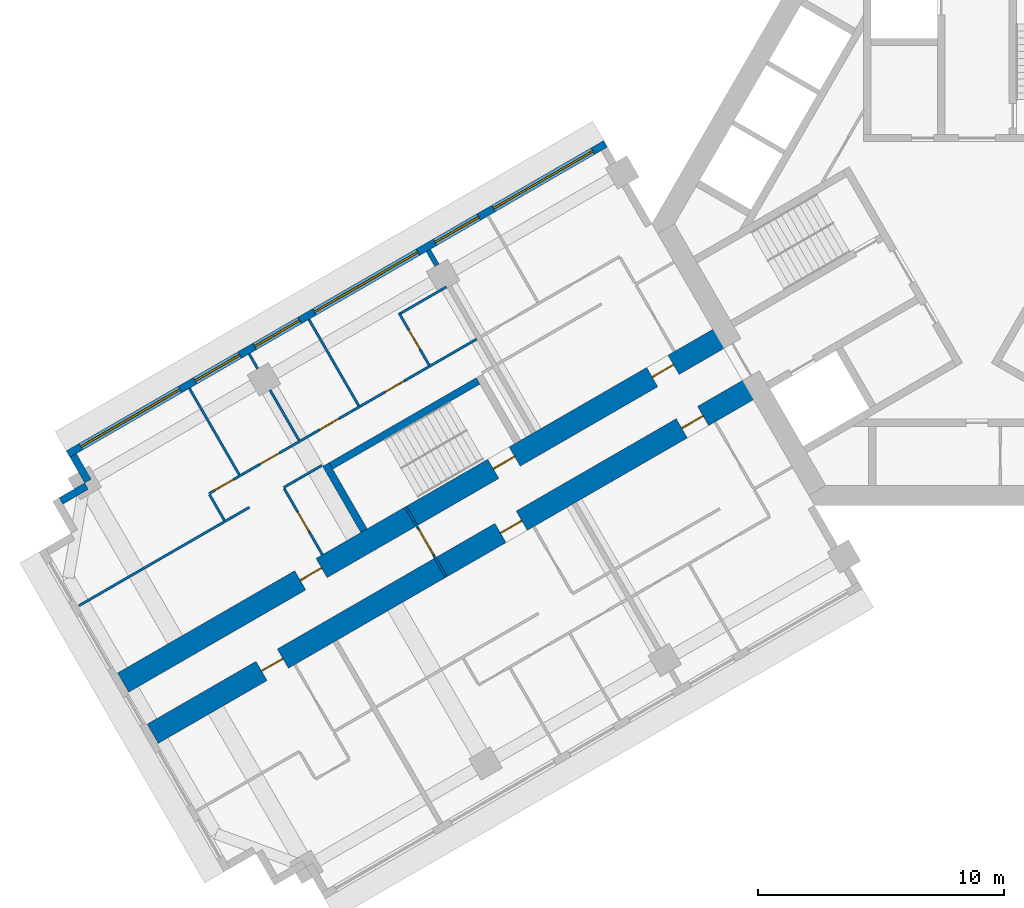
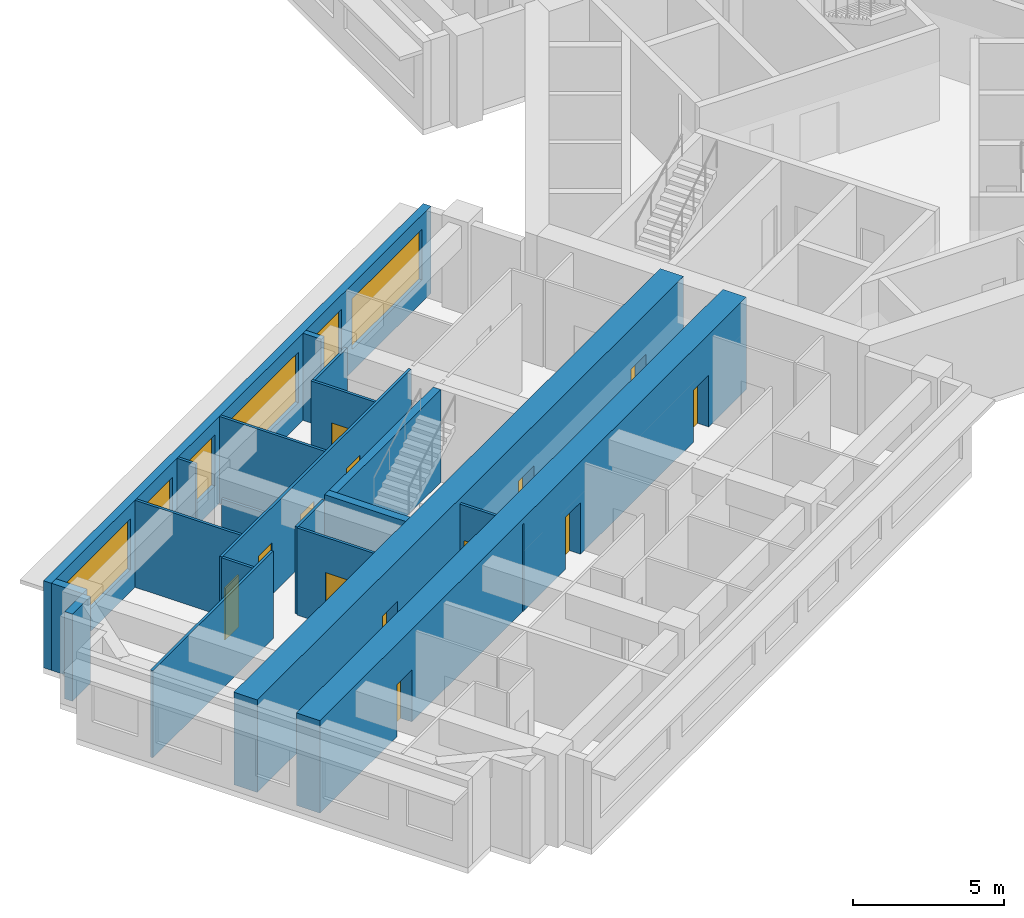
# One storey, part 3 of 14: 20 walls, 13 doors, 6 windows, 19 openings.
"""IFC4 building model written with IfcOpenShell, lengths in metres."""

from ifc_helpers import new_model, si_unit, direction, frame, frame_2d, origin, place, context, subcontext, project, spatial, rectangle, extrude, material, layer, layer_set, type_object, element, fill, save


model = new_model("IFC4")

# Units and contexts
model_context = context("Model", 3, precision=1e-05, world=origin(), true_north=direction((0.0, 1.0)))
body_context = subcontext(model_context, "Body", "Model", "MODEL_VIEW")
ifc_project = project(units=[si_unit("LENGTHUNIT", "METRE"), si_unit("AREAUNIT", "SQUARE_METRE"), si_unit("VOLUMEUNIT", "CUBIC_METRE"), si_unit("PLANEANGLEUNIT", "RADIAN"), si_unit("MASSUNIT", "GRAM", prefix="KILO")], contexts=[model_context])

# Site, building, storey
site_placement = place(None, origin())
site = spatial("IfcSite", under=ifc_project, at=site_placement, CompositionType="ELEMENT")
building_placement = place(site_placement, origin())
building = spatial("IfcBuilding", under=site, at=building_placement, Name="Impinga Residences", CompositionType="ELEMENT")
storey_placement = place(building_placement, frame((0.0, 0.0, 147.25)))
storey = spatial("IfcBuildingStorey", under=building, at=storey_placement, Name="L36", CompositionType="ELEMENT", Elevation=147.25)

# Wall, openings, doors
ifc_material_1 = material(Name="Concrete C60/75", Category="concrete")
ifc_layer_1 = layer(ifc_material_1, 0.89990234375)
ifc_layer_set_1 = layer_set([ifc_layer_1], Name="Concrete C60/75")
wall_type_1 = type_object("IfcWallType", Name="BW2 corridor buttress wall, L24 to L44 900", PredefinedType="SHEAR", material=ifc_layer_set_1)
wall_1_placement = place(storey_placement, frame((-8.95361328125, -6.554931640625, 0.0), z_axis=(0.0, 0.0, 1.0), x_axis=(-0.866023392092, -0.500003484338, 0.0)))
wall_1 = element("IfcWall", 1, at=wall_1_placement, inside=storey, type_object=wall_type_1, Name="Corridor wall BW2 WC L36", PredefinedType="SHEAR", context=body_context, shape_type="SweptSolid", body=[
    extrude(rectangle(XDim=28.300048828125, YDim=0.89990234375, at=frame_2d((14.14990234375, 0.0))), origin(), (0.0, 0.0, 1.0), 3.75),
])
opening_1_placement = place(wall_1_placement, frame((2.5, 0.0, 0.0)))
opening_1 = element("IfcOpeningElement", 2, at=opening_1_placement, cuts=wall_1, Name="Opening D1", PredefinedType="OPENING", context=body_context, shape_type="SweptSolid", body=[
    extrude(rectangle(XDim=1.0, YDim=2.10009765625, at=frame_2d((0.5, 1.050048828125))), frame((0.0, 0.4599609375, 0.0), z_axis=(0.0, -1.0, 0.0), x_axis=(1.0, 0.0, 0.0)), (0.0, 0.0, 1.0), 0.919921875),
])
opening_2_placement = place(wall_1_placement, frame((11.0, 0.0, 0.0)))
opening_2 = element("IfcOpeningElement", 3, at=opening_2_placement, cuts=wall_1, Name="Opening D1", PredefinedType="OPENING", context=body_context, shape_type="SweptSolid", body=[
    extrude(rectangle(XDim=1.0, YDim=2.10009765625, at=frame_2d((0.5, 1.050048828125))), frame((0.0, 0.4599609375, 0.0), z_axis=(0.0, -1.0, 0.0), x_axis=(1.0, 0.0, 0.0)), (0.0, 0.0, 1.0), 0.919921875),
])
opening_3_placement = place(wall_1_placement, frame((22.199951171875, 0.0, 0.0)))
opening_3 = element("IfcOpeningElement", 4, at=opening_3_placement, cuts=wall_1, Name="Opening D1", PredefinedType="OPENING", context=body_context, shape_type="SweptSolid", body=[
    extrude(rectangle(XDim=1.0, YDim=2.10009765625, at=frame_2d((0.5, 1.050048828125))), frame((0.0, 0.4599609375, 0.0), z_axis=(0.0, -1.0, 0.0), x_axis=(1.0, 0.0, 0.0)), (0.0, 0.0, 1.0), 0.919921875),
])
ifc_material_2 = material(Name="Timber door set", Category="wood")
door_type_1 = type_object("IfcDoorType", Name="D1 apartment entrance door 1000x2100", OperationType="SINGLE_SWING_LEFT", PredefinedType="DOOR", material=ifc_material_2)
door_1_placement = place(opening_1_placement, origin())
door_1 = element("IfcDoor", 5, at=door_1_placement, inside=storey, type_object=door_type_1, Name="Apartment L36-WA1 entrance", OperationType="SINGLE_SWING_LEFT", OverallHeight=2.10009765625, OverallWidth=1.0, PredefinedType="DOOR", context=body_context, shape_type="SweptSolid", body=[
    extrude(rectangle(XDim=1.0, YDim=2.10009765625, at=frame_2d((0.5, 1.050048828125))), frame((0.0, 0.02490234375, 0.0), z_axis=(0.0, -1.0, 0.0), x_axis=(1.0, 0.0, 0.0)), (0.0, 0.0, 1.0), 0.050048828125),
])
fill(opening_1, door_1)
door_2_placement = place(opening_2_placement, origin())
door_2 = element("IfcDoor", 6, at=door_2_placement, inside=storey, type_object=door_type_1, Name="Apartment L36-WA2 entrance", OperationType="SINGLE_SWING_LEFT", OverallHeight=2.10009765625, OverallWidth=1.0, PredefinedType="DOOR", context=body_context, shape_type="SweptSolid", body=[
    extrude(rectangle(XDim=1.0, YDim=2.10009765625, at=frame_2d((0.5, 1.050048828125))), frame((0.0, 0.02490234375, 0.0), z_axis=(0.0, -1.0, 0.0), x_axis=(1.0, 0.0, 0.0)), (0.0, 0.0, 1.0), 0.050048828125),
])
fill(opening_2, door_2)
door_3_placement = place(opening_3_placement, origin())
door_3 = element("IfcDoor", 7, at=door_3_placement, inside=storey, type_object=door_type_1, Name="Apartment L36-WA3 entrance", OperationType="SINGLE_SWING_RIGHT", OverallHeight=2.10009765625, OverallWidth=1.0, PredefinedType="DOOR", context=body_context, shape_type="SweptSolid", body=[
    extrude(rectangle(XDim=1.0, YDim=2.10009765625, at=frame_2d((0.5, 1.050048828125))), frame((0.0, 0.02490234375, 0.0), z_axis=(0.0, -1.0, 0.0), x_axis=(1.0, 0.0, 0.0)), (0.0, 0.0, 1.0), 0.050048828125),
])
fill(opening_3, door_3)

wall_2_placement = place(storey_placement, frame((-10.153564453125, -4.4765625, 0.0), z_axis=(0.0, 0.0, 1.0), x_axis=(-0.866027127636, -0.49999701419, 0.0)))
wall_2 = element("IfcWall", 8, at=wall_2_placement, inside=storey, type_object=wall_type_1, Name="Corridor wall BW2 WD L36", PredefinedType="SHEAR", context=body_context, shape_type="SweptSolid", body=[
    extrude(rectangle(XDim=28.300048828125, YDim=0.89990234375, at=frame_2d((14.14990234375, 0.0))), origin(), (0.0, 0.0, 1.0), 3.75),
])
opening_4_placement = place(wall_2_placement, frame((9.949951171875, 0.0, 0.0)))
opening_4 = element("IfcOpeningElement", 9, at=opening_4_placement, cuts=wall_2, Name="Opening D5", PredefinedType="OPENING", context=body_context, shape_type="SweptSolid", body=[
    extrude(rectangle(XDim=1.0, YDim=2.10009765625, at=frame_2d((0.5, 1.050048828125))), frame((0.0, 0.4599609375, 0.0), z_axis=(0.0, -1.0, 0.0), x_axis=(1.0, 0.0, 0.0)), (0.0, 0.0, 1.0), 0.919921875),
])
opening_5_placement = place(wall_2_placement, frame((2.5, 0.0, 0.0)))
opening_5 = element("IfcOpeningElement", 10, at=opening_5_placement, cuts=wall_2, Name="Opening D1", PredefinedType="OPENING", context=body_context, shape_type="SweptSolid", body=[
    extrude(rectangle(XDim=1.0, YDim=2.10009765625, at=frame_2d((0.5, 1.050048828125))), frame((0.0, 0.4599609375, 0.0), z_axis=(0.0, -1.0, 0.0), x_axis=(1.0, 0.0, 0.0)), (0.0, 0.0, 1.0), 0.919921875),
])
opening_6_placement = place(wall_2_placement, frame((19.0, 0.0, 0.0)))
opening_6 = element("IfcOpeningElement", 11, at=opening_6_placement, cuts=wall_2, Name="Opening D1", PredefinedType="OPENING", context=body_context, shape_type="SweptSolid", body=[
    extrude(rectangle(XDim=1.0, YDim=2.10009765625, at=frame_2d((0.5, 1.050048828125))), frame((0.0, 0.4599609375, 0.0), z_axis=(0.0, -1.0, 0.0), x_axis=(1.0, 0.0, 0.0)), (0.0, 0.0, 1.0), 0.919921875),
])
door_4_placement = place(opening_5_placement, origin())
door_4 = element("IfcDoor", 12, at=door_4_placement, inside=storey, type_object=door_type_1, Name="Apartment L36-WF1 entrance", OperationType="SINGLE_SWING_LEFT", OverallHeight=2.10009765625, OverallWidth=1.0, PredefinedType="DOOR", context=body_context, shape_type="SweptSolid", body=[
    extrude(rectangle(XDim=1.0, YDim=2.10009765625, at=frame_2d((0.5, 1.050048828125))), frame((0.0, 0.02490234375, 0.0), z_axis=(0.0, -1.0, 0.0), x_axis=(1.0, 0.0, 0.0)), (0.0, 0.0, 1.0), 0.050048828125),
])
fill(opening_5, door_4)
door_5_placement = place(opening_6_placement, origin())
door_5 = element("IfcDoor", 13, at=door_5_placement, inside=storey, type_object=door_type_1, Name="Apartment L36-WF2 entrance", OperationType="SINGLE_SWING_RIGHT", OverallHeight=2.10009765625, OverallWidth=1.0, PredefinedType="DOOR", context=body_context, shape_type="SweptSolid", body=[
    extrude(rectangle(XDim=1.0, YDim=2.10009765625, at=frame_2d((0.5, 1.050048828125))), frame((0.0, 0.02490234375, 0.0), z_axis=(0.0, -1.0, 0.0), x_axis=(1.0, 0.0, 0.0)), (0.0, 0.0, 1.0), 0.050048828125),
])
fill(opening_6, door_5)
door_type_2 = type_object("IfcDoorType", Name="D5 stair door 1000x2100", OperationType="SINGLE_SWING_LEFT", PredefinedType="DOOR", material=ifc_material_2)
door_6_placement = place(opening_4_placement, origin())
door_6 = element("IfcDoor", 14, at=door_6_placement, inside=storey, type_object=door_type_2, Name="Wing stair door W", OperationType="SINGLE_SWING_LEFT", OverallHeight=2.10009765625, OverallWidth=1.0, PredefinedType="DOOR", context=body_context, shape_type="SweptSolid", body=[
    extrude(rectangle(XDim=1.0, YDim=2.10009765625, at=frame_2d((0.5, 1.050048828125))), frame((0.0, 0.02490234375, 0.0), z_axis=(0.0, -1.0, 0.0), x_axis=(1.0, 0.0, 0.0)), (0.0, 0.0, 1.0), 0.050048828125),
])
fill(opening_4, door_6)

# Wall, opening, door
ifc_material_3 = material(Name="Concrete blockwork", Category="masonry")
ifc_layer_2 = layer(ifc_material_3, 0.10009765625)
ifc_layer_set_2 = layer_set([ifc_layer_2], Name="CP1 core room partition, blockwork 100")
wall_type_2 = type_object("IfcWallType", Name="CP1 core room partition, blockwork 100", PredefinedType="PARTITIONING", material=ifc_layer_set_2)
wall_3_placement = place(storey_placement, frame((-21.545654296875, -14.3447265625, 0.0), z_axis=(0.0, 0.0, 1.0), x_axis=(-0.50002983664, 0.866008176907, 0.0)))
wall_3 = element("IfcWall", 15, at=wall_3_placement, inside=storey, type_object=wall_type_2, Name="Core room partition, blockwork L36:W:PLB", PredefinedType="PARTITIONING", context=body_context, shape_type="SweptSolid", body=[
    extrude(rectangle(XDim=3.300048828125, YDim=0.10009765625, at=frame_2d((1.64990234375, 0.0))), origin(), (0.0, 0.0, 1.0), 3.530029296875),
])
opening_7_placement = place(wall_3_placement, frame((1.050048828125, 0.0, 0.0)))
opening_7 = element("IfcOpeningElement", 16, at=opening_7_placement, cuts=wall_3, Name="Opening D3", PredefinedType="OPENING", context=body_context, shape_type="SweptSolid", body=[
    extrude(rectangle(XDim=1.199951171875, YDim=2.10009765625, at=frame_2d((0.60009765625, 1.050048828125))), frame((0.0, 0.06005859375, 0.0), z_axis=(0.0, -1.0, 0.0), x_axis=(1.0, 0.0, 0.0)), (0.0, 0.0, 1.0), 0.1201171875),
])
door_type_3 = type_object("IfcDoorType", Name="D3 room door, leaf and a half 1200x2100", OperationType="DOUBLE_SWING_LEFT", PredefinedType="DOOR", material=ifc_material_2)
door_7_placement = place(opening_7_placement, origin())
door_7 = element("IfcDoor", 17, at=door_7_placement, inside=storey, type_object=door_type_3, Name="Private lobby door W", OperationType="DOUBLE_SWING_LEFT", OverallHeight=2.10009765625, OverallWidth=1.199951171875, PredefinedType="DOOR", context=body_context, shape_type="SweptSolid", body=[
    extrude(rectangle(XDim=1.199951171875, YDim=2.10009765625, at=frame_2d((0.60009765625, 1.050048828125))), frame((0.0, 0.02490234375, 0.0), z_axis=(0.0, -1.0, 0.0), x_axis=(1.0, 0.0, 0.0)), (0.0, 0.0, 1.0), 0.050048828125),
])
fill(opening_7, door_7)

# Walls
ifc_material_4 = material(Name="Terracotta rainscreen on blockwork", Category="masonry")
ifc_layer_3 = layer(ifc_material_4, 0.300048828125)
ifc_layer_set_3 = layer_set([ifc_layer_3], Name="EW1 external wall, terracotta rainscreen on blockwork 300")
wall_type_3 = type_object("IfcWallType", Name="EW1 external wall, terracotta rainscreen on blockwork 300", PredefinedType="SOLIDWALL", material=ifc_layer_set_3)
wall_4_placement = place(storey_placement, frame((-37.18798828125, -11.25146484375, 0.0), z_axis=(0.0, 0.0, 1.0), x_axis=(0.866059708757, 0.499940577336, 0.0)))
element("IfcWall", 18, at=wall_4_placement, inside=storey, type_object=wall_type_3, Name="External wall EW1 L36", PredefinedType="SOLIDWALL", context=body_context, shape_type="SweptSolid", body=[
    extrude(rectangle(XDim=1.195068359375, YDim=0.300048828125, at=frame_2d((0.59765625, 0.0))), origin(), (0.0, 0.0, 1.0), 3.530029296875),
])
wall_5_placement = place(storey_placement, frame((-36.093994140625, -10.446533203125, 0.0), z_axis=(0.0, 0.0, 1.0), x_axis=(-0.499880961361, 0.866094119867, 0.0)))
element("IfcWall", 19, at=wall_5_placement, inside=storey, type_object=wall_type_3, Name="External wall EW1 L36", PredefinedType="SOLIDWALL", context=body_context, shape_type="SweptSolid", body=[
    extrude(rectangle(XDim=1.199951171875, YDim=0.300048828125, at=frame_2d((0.60009765625, 0.0))), origin(), (0.0, 0.0, 1.0), 3.530029296875),
])

# Wall, openings, windows
wall_6_placement = place(storey_placement, frame((-36.89892578125, -9.352294921875, 0.0), z_axis=(0.0, 0.0, 1.0), x_axis=(0.86602925447, 0.499993330357, 0.0)))
wall_6 = element("IfcWall", 20, at=wall_6_placement, inside=storey, type_object=wall_type_3, Name="External wall EW1 L36", PredefinedType="SOLIDWALL", context=body_context, shape_type="SweptSolid", body=[
    extrude(rectangle(XDim=25.199951171875, YDim=0.300048828125, at=frame_2d((12.60009765625, 0.0))), origin(), (0.0, 0.0, 1.0), 3.530029296875),
])
opening_8_placement = place(wall_6_placement, frame((0.60009765625, 0.0, 0.89990234375)))
opening_8 = element("IfcOpeningElement", 21, at=opening_8_placement, cuts=wall_6, Name="Opening W10", PredefinedType="OPENING", context=body_context, shape_type="SweptSolid", body=[
    extrude(rectangle(XDim=4.64990234375, YDim=2.050048828125, at=frame_2d((2.324951171875, 1.02490234375))), frame((0.0, 0.159912109375, 0.0), z_axis=(0.0, -1.0, 0.0), x_axis=(1.0, 0.0, 0.0)), (0.0, 0.0, 1.0), 0.320068359375),
])
opening_9_placement = place(wall_6_placement, frame((5.949951171875, 0.0, 0.89990234375)))
opening_9 = element("IfcOpeningElement", 22, at=opening_9_placement, cuts=wall_6, Name="Opening W9", PredefinedType="OPENING", context=body_context, shape_type="SweptSolid", body=[
    extrude(rectangle(XDim=2.10009765625, YDim=2.050048828125, at=frame_2d((1.050048828125, 1.02490234375))), frame((0.0, 0.159912109375, 0.0), z_axis=(0.0, -1.0, 0.0), x_axis=(1.0, 0.0, 0.0)), (0.0, 0.0, 1.0), 0.320068359375),
])
opening_10_placement = place(wall_6_placement, frame((8.75, 0.0, 0.89990234375)))
opening_10 = element("IfcOpeningElement", 23, at=opening_10_placement, cuts=wall_6, Name="Opening W9", PredefinedType="OPENING", context=body_context, shape_type="SweptSolid", body=[
    extrude(rectangle(XDim=2.10009765625, YDim=2.050048828125, at=frame_2d((1.050048828125, 1.02490234375))), frame((0.0, 0.159912109375, 0.0), z_axis=(0.0, -1.0, 0.0), x_axis=(1.0, 0.0, 0.0)), (0.0, 0.0, 1.0), 0.320068359375),
])
opening_11_placement = place(wall_6_placement, frame((11.550048828125, 0.0, 0.89990234375)))
opening_11 = element("IfcOpeningElement", 24, at=opening_11_placement, cuts=wall_6, Name="Opening W6", PredefinedType="OPENING", context=body_context, shape_type="SweptSolid", body=[
    extrude(rectangle(XDim=4.85009765625, YDim=2.050048828125, at=frame_2d((2.425048828125, 1.02490234375))), frame((0.0, 0.159912109375, 0.0), z_axis=(0.0, -1.0, 0.0), x_axis=(1.0, 0.0, 0.0)), (0.0, 0.0, 1.0), 0.320068359375),
])
opening_12_placement = place(wall_6_placement, frame((17.199951171875, 0.0, 0.89990234375)))
opening_12 = element("IfcOpeningElement", 25, at=opening_12_placement, cuts=wall_6, Name="Opening W14", PredefinedType="OPENING", context=body_context, shape_type="SweptSolid", body=[
    extrude(rectangle(XDim=2.050048828125, YDim=2.050048828125, at=frame_2d((1.02490234375, 1.02490234375))), frame((0.0, 0.159912109375, 0.0), z_axis=(0.0, -1.0, 0.0), x_axis=(1.0, 0.0, 0.0)), (0.0, 0.0, 1.0), 0.320068359375),
])
opening_13_placement = place(wall_6_placement, frame((19.949951171875, 0.0, 0.89990234375)))
opening_13 = element("IfcOpeningElement", 26, at=opening_13_placement, cuts=wall_6, Name="Opening W10", PredefinedType="OPENING", context=body_context, shape_type="SweptSolid", body=[
    extrude(rectangle(XDim=4.64990234375, YDim=2.050048828125, at=frame_2d((2.324951171875, 1.02490234375))), frame((0.0, 0.159912109375, 0.0), z_axis=(0.0, -1.0, 0.0), x_axis=(1.0, 0.0, 0.0)), (0.0, 0.0, 1.0), 0.320068359375),
])
ifc_material_5 = material(Name="Aluminium window, clear double glazing", Category="aluminium")
window_type_1 = type_object("IfcWindowType", Name="W10 ribbon window 4650x2050", PartitioningType="SINGLE_PANEL", PredefinedType="WINDOW", material=ifc_material_5)
window_1_placement = place(opening_8_placement, origin())
window_1 = element("IfcWindow", 27, at=window_1_placement, inside=storey, type_object=window_type_1, Name="Window L36", OverallHeight=2.050048828125, OverallWidth=4.64990234375, PartitioningType="SINGLE_PANEL", PredefinedType="WINDOW", context=body_context, shape_type="SweptSolid", body=[
    extrude(rectangle(XDim=4.64990234375, YDim=2.050048828125, at=frame_2d((2.324951171875, 1.02490234375))), frame((0.0, 0.030029296875, 0.0), z_axis=(0.0, -1.0, 0.0), x_axis=(1.0, 0.0, 0.0)), (0.0, 0.0, 1.0), 0.06005859375),
])
fill(opening_8, window_1)
window_2_placement = place(opening_13_placement, origin())
window_2 = element("IfcWindow", 28, at=window_2_placement, inside=storey, type_object=window_type_1, Name="Window L36", OverallHeight=2.050048828125, OverallWidth=4.64990234375, PartitioningType="SINGLE_PANEL", PredefinedType="WINDOW", context=body_context, shape_type="SweptSolid", body=[
    extrude(rectangle(XDim=4.64990234375, YDim=2.050048828125, at=frame_2d((2.324951171875, 1.02490234375))), frame((0.0, 0.030029296875, 0.0), z_axis=(0.0, -1.0, 0.0), x_axis=(1.0, 0.0, 0.0)), (0.0, 0.0, 1.0), 0.06005859375),
])
fill(opening_13, window_2)
window_type_2 = type_object("IfcWindowType", Name="W14 ribbon window 2050x2050", PartitioningType="SINGLE_PANEL", PredefinedType="WINDOW", material=ifc_material_5)
window_3_placement = place(opening_12_placement, origin())
window_3 = element("IfcWindow", 29, at=window_3_placement, inside=storey, type_object=window_type_2, Name="Window L36", OverallHeight=2.050048828125, OverallWidth=2.050048828125, PartitioningType="SINGLE_PANEL", PredefinedType="WINDOW", context=body_context, shape_type="SweptSolid", body=[
    extrude(rectangle(XDim=2.050048828125, YDim=2.050048828125, at=frame_2d((1.02490234375, 1.02490234375))), frame((0.0, 0.030029296875, 0.0), z_axis=(0.0, -1.0, 0.0), x_axis=(1.0, 0.0, 0.0)), (0.0, 0.0, 1.0), 0.06005859375),
])
fill(opening_12, window_3)
window_type_3 = type_object("IfcWindowType", Name="W6 ribbon window 4850x2050", PartitioningType="SINGLE_PANEL", PredefinedType="WINDOW", material=ifc_material_5)
window_4_placement = place(opening_11_placement, origin())
window_4 = element("IfcWindow", 30, at=window_4_placement, inside=storey, type_object=window_type_3, Name="Window L36", OverallHeight=2.050048828125, OverallWidth=4.85009765625, PartitioningType="SINGLE_PANEL", PredefinedType="WINDOW", context=body_context, shape_type="SweptSolid", body=[
    extrude(rectangle(XDim=4.85009765625, YDim=2.050048828125, at=frame_2d((2.425048828125, 1.02490234375))), frame((0.0, 0.030029296875, 0.0), z_axis=(0.0, -1.0, 0.0), x_axis=(1.0, 0.0, 0.0)), (0.0, 0.0, 1.0), 0.06005859375),
])
fill(opening_11, window_4)
window_type_4 = type_object("IfcWindowType", Name="W9 ribbon window 2100x2050", PartitioningType="SINGLE_PANEL", PredefinedType="WINDOW", material=ifc_material_5)
window_5_placement = place(opening_9_placement, origin())
window_5 = element("IfcWindow", 31, at=window_5_placement, inside=storey, type_object=window_type_4, Name="Window L36", OverallHeight=2.050048828125, OverallWidth=2.10009765625, PartitioningType="SINGLE_PANEL", PredefinedType="WINDOW", context=body_context, shape_type="SweptSolid", body=[
    extrude(rectangle(XDim=2.10009765625, YDim=2.050048828125, at=frame_2d((1.050048828125, 1.02490234375))), frame((0.0, 0.030029296875, 0.0), z_axis=(0.0, -1.0, 0.0), x_axis=(1.0, 0.0, 0.0)), (0.0, 0.0, 1.0), 0.06005859375),
])
fill(opening_9, window_5)
window_6_placement = place(opening_10_placement, origin())
window_6 = element("IfcWindow", 32, at=window_6_placement, inside=storey, type_object=window_type_4, Name="Window L36", OverallHeight=2.050048828125, OverallWidth=2.10009765625, PartitioningType="SINGLE_PANEL", PredefinedType="WINDOW", context=body_context, shape_type="SweptSolid", body=[
    extrude(rectangle(XDim=2.10009765625, YDim=2.050048828125, at=frame_2d((1.050048828125, 1.02490234375))), frame((0.0, 0.030029296875, 0.0), z_axis=(0.0, -1.0, 0.0), x_axis=(1.0, 0.0, 0.0)), (0.0, 0.0, 1.0), 0.06005859375),
])
fill(opening_10, window_6)

# Walls
ifc_material_6 = material(Name="Gypsum board on steel studs", Category="steel")
ifc_layer_4 = layer(ifc_material_6, 0.10009765625)
ifc_layer_set_4 = layer_set([ifc_layer_4], Name="Gypsum board on steel studs")
wall_type_4 = type_object("IfcWallType", Name="IP1 partition 100", PredefinedType="PARTITIONING", material=ifc_layer_set_4)
wall_7_placement = place(storey_placement, frame((-26.58935546875, -9.808837890625, 0.0), z_axis=(0.0, 0.0, 1.0), x_axis=(-0.866047807691, -0.499961193289, 0.0)))
element("IfcWall", 33, at=wall_7_placement, inside=storey, type_object=wall_type_4, Name="Partition L36-WF2:DIV1", PredefinedType="PARTITIONING", context=body_context, shape_type="SweptSolid", body=[
    extrude(rectangle(XDim=1.800048828125, YDim=0.10009765625, at=frame_2d((0.89990234375, 0.0))), origin(), (0.0, 0.0, 1.0), 3.530029296875),
])
wall_8_placement = place(storey_placement, frame((-29.533935546875, -11.5087890625, 0.0), z_axis=(0.0, 0.0, 1.0), x_axis=(-0.866026010844, -0.49999894854, 0.0)))
element("IfcWall", 34, at=wall_8_placement, inside=storey, type_object=wall_type_4, Name="Partition L36-WF2:DIV2", PredefinedType="PARTITIONING", context=body_context, shape_type="SweptSolid", body=[
    extrude(rectangle(XDim=8.0, YDim=0.10009765625, at=frame_2d((4.0, 0.0))), origin(), (0.0, 0.0, 1.0), 3.530029296875),
])

# Wall, openings, doors
wall_9_placement = place(storey_placement, frame((-20.311279296875, -4.68310546875, 0.0), z_axis=(0.0, 0.0, 1.0), x_axis=(-0.86602944105, -0.499993007185, 0.0)))
wall_9 = element("IfcWall", 35, at=wall_9_placement, inside=storey, type_object=wall_type_4, Name="Partition L36-WF2:STRIP", PredefinedType="PARTITIONING", context=body_context, shape_type="SweptSolid", body=[
    extrude(rectangle(XDim=12.550048828125, YDim=0.10009765625, at=frame_2d((6.27490234375, 0.0))), origin(), (0.0, 0.0, 1.0), 3.530029296875),
])
opening_14_placement = place(wall_9_placement, frame((3.39990234375, 0.0, 0.0)))
opening_14 = element("IfcOpeningElement", 36, at=opening_14_placement, cuts=wall_9, Name="Opening D2", PredefinedType="OPENING", context=body_context, shape_type="SweptSolid", body=[
    extrude(rectangle(XDim=0.89990234375, YDim=2.10009765625, at=frame_2d((0.449951171875, 1.050048828125))), frame((0.0, 0.06005859375, 0.0), z_axis=(0.0, -1.0, 0.0), x_axis=(1.0, 0.0, 0.0)), (0.0, 0.0, 1.0), 0.1201171875),
])
opening_15_placement = place(wall_9_placement, frame((6.449951171875, 0.0, 0.0)))
opening_15 = element("IfcOpeningElement", 37, at=opening_15_placement, cuts=wall_9, Name="Opening D2", PredefinedType="OPENING", context=body_context, shape_type="SweptSolid", body=[
    extrude(rectangle(XDim=0.89990234375, YDim=2.10009765625, at=frame_2d((0.449951171875, 1.050048828125))), frame((0.0, 0.06005859375, 0.0), z_axis=(0.0, -1.0, 0.0), x_axis=(1.0, 0.0, 0.0)), (0.0, 0.0, 1.0), 0.1201171875),
])
opening_16_placement = place(wall_9_placement, frame((9.25, 0.0, 0.0)))
opening_16 = element("IfcOpeningElement", 38, at=opening_16_placement, cuts=wall_9, Name="Opening D2", PredefinedType="OPENING", context=body_context, shape_type="SweptSolid", body=[
    extrude(rectangle(XDim=0.89990234375, YDim=2.10009765625, at=frame_2d((0.449951171875, 1.050048828125))), frame((0.0, 0.06005859375, 0.0), z_axis=(0.0, -1.0, 0.0), x_axis=(1.0, 0.0, 0.0)), (0.0, 0.0, 1.0), 0.1201171875),
])
opening_17_placement = place(wall_9_placement, frame((11.39990234375, 0.0, 0.0)))
opening_17 = element("IfcOpeningElement", 39, at=opening_17_placement, cuts=wall_9, Name="Opening D2", PredefinedType="OPENING", context=body_context, shape_type="SweptSolid", body=[
    extrude(rectangle(XDim=0.89990234375, YDim=2.10009765625, at=frame_2d((0.449951171875, 1.050048828125))), frame((0.0, 0.06005859375, 0.0), z_axis=(0.0, -1.0, 0.0), x_axis=(1.0, 0.0, 0.0)), (0.0, 0.0, 1.0), 0.1201171875),
])
door_type_4 = type_object("IfcDoorType", Name="D2 internal door 900x2100", OperationType="SINGLE_SWING_LEFT", PredefinedType="DOOR", material=ifc_material_2)
door_8_placement = place(opening_14_placement, origin())
door_8 = element("IfcDoor", 40, at=door_8_placement, inside=storey, type_object=door_type_4, Name="Apartment L36-WF2 room door", OperationType="SINGLE_SWING_LEFT", OverallHeight=2.10009765625, OverallWidth=0.89990234375, PredefinedType="DOOR", context=body_context, shape_type="SweptSolid", body=[
    extrude(rectangle(XDim=0.89990234375, YDim=2.10009765625, at=frame_2d((0.449951171875, 1.050048828125))), frame((0.0, 0.02490234375, 0.0), z_axis=(0.0, -1.0, 0.0), x_axis=(1.0, 0.0, 0.0)), (0.0, 0.0, 1.0), 0.050048828125),
])
fill(opening_14, door_8)
door_9_placement = place(opening_15_placement, origin())
door_9 = element("IfcDoor", 41, at=door_9_placement, inside=storey, type_object=door_type_4, Name="Apartment L36-WF2 room door", OperationType="SINGLE_SWING_RIGHT", OverallHeight=2.10009765625, OverallWidth=0.89990234375, PredefinedType="DOOR", context=body_context, shape_type="SweptSolid", body=[
    extrude(rectangle(XDim=0.89990234375, YDim=2.10009765625, at=frame_2d((0.449951171875, 1.050048828125))), frame((0.0, 0.02490234375, 0.0), z_axis=(0.0, -1.0, 0.0), x_axis=(1.0, 0.0, 0.0)), (0.0, 0.0, 1.0), 0.050048828125),
])
fill(opening_15, door_9)
door_10_placement = place(opening_16_placement, origin())
door_10 = element("IfcDoor", 42, at=door_10_placement, inside=storey, type_object=door_type_4, Name="Apartment L36-WF2 room door", OperationType="SINGLE_SWING_RIGHT", OverallHeight=2.10009765625, OverallWidth=0.89990234375, PredefinedType="DOOR", context=body_context, shape_type="SweptSolid", body=[
    extrude(rectangle(XDim=0.89990234375, YDim=2.10009765625, at=frame_2d((0.449951171875, 1.050048828125))), frame((0.0, 0.02490234375, 0.0), z_axis=(0.0, -1.0, 0.0), x_axis=(1.0, 0.0, 0.0)), (0.0, 0.0, 1.0), 0.050048828125),
])
fill(opening_16, door_10)
door_11_placement = place(opening_17_placement, origin())
door_11 = element("IfcDoor", 43, at=door_11_placement, inside=storey, type_object=door_type_4, Name="Apartment L36-WF2 room door", OperationType="SINGLE_SWING_RIGHT", OverallHeight=2.10009765625, OverallWidth=0.89990234375, PredefinedType="DOOR", context=body_context, shape_type="SweptSolid", body=[
    extrude(rectangle(XDim=0.89990234375, YDim=2.10009765625, at=frame_2d((0.449951171875, 1.050048828125))), frame((0.0, 0.02490234375, 0.0), z_axis=(0.0, -1.0, 0.0), x_axis=(1.0, 0.0, 0.0)), (0.0, 0.0, 1.0), 0.050048828125),
])
fill(opening_17, door_11)

# Wall
wall_10_placement = place(storey_placement, frame((-30.554931640625, -12.04052734375, 0.0), z_axis=(0.0, 0.0, 1.0), x_axis=(-0.499880961361, 0.866094119867, 0.0)))
element("IfcWall", 44, at=wall_10_placement, inside=storey, type_object=wall_type_4, Name="Partition L36-WF2:SE1", PredefinedType="PARTITIONING", context=body_context, shape_type="SweptSolid", body=[
    extrude(rectangle(XDim=1.199951171875, YDim=0.10009765625, at=frame_2d((0.60009765625, 0.0))), origin(), (0.0, 0.0, 1.0), 3.530029296875),
])

# Wall, opening, door
wall_11_placement = place(storey_placement, frame((-26.5732421875, -13.436767578125, 0.0), z_axis=(0.0, 0.0, 1.0), x_axis=(-0.500026960575, 0.86600983753, 0.0)))
wall_11 = element("IfcWall", 45, at=wall_11_placement, inside=storey, type_object=wall_type_4, Name="Partition L36-WF2:IB1", PredefinedType="PARTITIONING", context=body_context, shape_type="SweptSolid", body=[
    extrude(rectangle(XDim=3.099853515625, YDim=0.10009765625, at=frame_2d((1.5498046875, 0.0))), origin(), (0.0, 0.0, 1.0), 3.530029296875),
])
opening_18_placement = place(wall_11_placement, frame((1.10009765625, 0.0, 0.0)))
opening_18 = element("IfcOpeningElement", 46, at=opening_18_placement, cuts=wall_11, Name="Opening D2", PredefinedType="OPENING", context=body_context, shape_type="SweptSolid", body=[
    extrude(rectangle(XDim=0.89990234375, YDim=2.10009765625, at=frame_2d((0.449951171875, 1.050048828125))), frame((0.0, 0.06005859375, 0.0), z_axis=(0.0, -1.0, 0.0), x_axis=(1.0, 0.0, 0.0)), (0.0, 0.0, 1.0), 0.1201171875),
])
door_12_placement = place(opening_18_placement, origin())
door_12 = element("IfcDoor", 47, at=door_12_placement, inside=storey, type_object=door_type_4, Name="Apartment L36-WF2 bathroom door", OperationType="SINGLE_SWING_LEFT", OverallHeight=2.10009765625, OverallWidth=0.89990234375, PredefinedType="DOOR", context=body_context, shape_type="SweptSolid", body=[
    extrude(rectangle(XDim=0.89990234375, YDim=2.10009765625, at=frame_2d((0.449951171875, 1.050048828125))), frame((0.0, 0.02490234375, 0.0), z_axis=(0.0, -1.0, 0.0), x_axis=(1.0, 0.0, 0.0)), (0.0, 0.0, 1.0), 0.050048828125),
])
fill(opening_18, door_12)

# Walls
wall_12_placement = place(storey_placement, frame((-25.099365234375, -7.3896484375, 0.0), z_axis=(0.0, 0.0, 1.0), x_axis=(-0.499990325971, 0.866030989016, 0.0)))
element("IfcWall", 48, at=wall_12_placement, inside=storey, type_object=wall_type_4, Name="Partition L36-WF2:OB1", PredefinedType="PARTITIONING", context=body_context, shape_type="SweptSolid", body=[
    extrude(rectangle(XDim=4.0498046875, YDim=0.10009765625, at=frame_2d((2.02490234375, 0.0))), origin(), (0.0, 0.0, 1.0), 3.530029296875),
])
wall_13_placement = place(storey_placement, frame((-27.524169921875, -8.789794921875, 0.0), z_axis=(0.0, 0.0, 1.0), x_axis=(-0.500016218704, 0.866016039709, 0.0)))
element("IfcWall", 49, at=wall_13_placement, inside=storey, type_object=wall_type_4, Name="Partition L36-WF2:OB2", PredefinedType="PARTITIONING", context=body_context, shape_type="SweptSolid", body=[
    extrude(rectangle(XDim=2.35009765625, YDim=0.10009765625, at=frame_2d((1.175048828125, 0.0))), origin(), (0.0, 0.0, 1.0), 2.47998046875),
])
wall_14_placement = place(storey_placement, frame((-29.19921875, -5.888427734375, 0.0), z_axis=(0.0, 0.0, 1.0), x_axis=(-0.500114896893, 0.865959057869, 0.0)))
element("IfcWall", 50, at=wall_14_placement, inside=storey, type_object=wall_type_4, Name="Partition L36-WF2:OB2b", PredefinedType="PARTITIONING", context=body_context, shape_type="SweptSolid", body=[
    extrude(rectangle(XDim=0.699951171875, YDim=0.10009765625, at=frame_2d((0.35009765625, 0.0))), origin(), (0.0, 0.0, 1.0), 3.530029296875),
])
wall_15_placement = place(storey_placement, frame((-29.94921875, -10.189697265625, 0.0), z_axis=(0.0, 0.0, 1.0), x_axis=(-0.499990325971, 0.866030989016, 0.0)))
element("IfcWall", 51, at=wall_15_placement, inside=storey, type_object=wall_type_4, Name="Partition L36-WF2:OB3", PredefinedType="PARTITIONING", context=body_context, shape_type="SweptSolid", body=[
    extrude(rectangle(XDim=4.0498046875, YDim=0.10009765625, at=frame_2d((2.02490234375, 0.0))), origin(), (0.0, 0.0, 1.0), 3.530029296875),
])

# Wall, opening, door
wall_16_placement = place(storey_placement, frame((-22.241455078125, -5.73974609375, 0.0), z_axis=(0.0, 0.0, 1.0), x_axis=(-0.500018594424, 0.866014668023, 0.0)))
wall_16 = element("IfcWall", 52, at=wall_16_placement, inside=storey, type_object=wall_type_4, Name="Partition L36-WF2:EN1", PredefinedType="PARTITIONING", context=body_context, shape_type="SweptSolid", body=[
    extrude(rectangle(XDim=2.4501953125, YDim=0.10009765625, at=frame_2d((1.22509765625, 0.0))), origin(), (0.0, 0.0, 1.0), 3.530029296875),
])
opening_19_placement = place(wall_16_placement, frame((0.75, 0.0, 0.0)))
opening_19 = element("IfcOpeningElement", 53, at=opening_19_placement, cuts=wall_16, Name="Opening D2", PredefinedType="OPENING", context=body_context, shape_type="SweptSolid", body=[
    extrude(rectangle(XDim=0.89990234375, YDim=2.10009765625, at=frame_2d((0.449951171875, 1.050048828125))), frame((0.0, 0.06005859375, 0.0), z_axis=(0.0, -1.0, 0.0), x_axis=(1.0, 0.0, 0.0)), (0.0, 0.0, 1.0), 0.1201171875),
])
door_13_placement = place(opening_19_placement, origin())
door_13 = element("IfcDoor", 54, at=door_13_placement, inside=storey, type_object=door_type_4, Name="Apartment L36-WF2 en-suite door", OperationType="SINGLE_SWING_LEFT", OverallHeight=2.10009765625, OverallWidth=0.89990234375, PredefinedType="DOOR", context=body_context, shape_type="SweptSolid", body=[
    extrude(rectangle(XDim=0.89990234375, YDim=2.10009765625, at=frame_2d((0.449951171875, 1.050048828125))), frame((0.0, 0.02490234375, 0.0), z_axis=(0.0, -1.0, 0.0), x_axis=(1.0, 0.0, 0.0)), (0.0, 0.0, 1.0), 0.050048828125),
])
fill(opening_19, door_13)

# Walls
wall_17_placement = place(storey_placement, frame((-21.5361328125, -2.561279296875, 0.0), z_axis=(0.0, 0.0, 1.0), x_axis=(-0.866047553582, -0.499961633463, 0.0)))
element("IfcWall", 55, at=wall_17_placement, inside=storey, type_object=wall_type_4, Name="Partition L36-WF2:EN2", PredefinedType="PARTITIONING", context=body_context, shape_type="SweptSolid", body=[
    extrude(rectangle(XDim=2.150146484375, YDim=0.10009765625, at=frame_2d((1.0751953125, 0.0))), origin(), (0.0, 0.0, 1.0), 3.530029296875),
])
ifc_layer_5 = layer(ifc_material_3, 0.199951171875)
ifc_layer_set_5 = layer_set([ifc_layer_5], Name="PW1 party wall between apartments 200")
wall_type_5 = type_object("IfcWallType", Name="PW1 party wall between apartments 200", PredefinedType="SOLIDWALL", material=ifc_layer_set_5)
wall_18_placement = place(storey_placement, frame((-21.924560546875, -1.6884765625, 0.0), z_axis=(0.0, 0.0, 1.0), x_axis=(-0.500114896893, 0.865959057869, 0.0)))
element("IfcWall", 56, at=wall_18_placement, inside=storey, type_object=wall_type_5, Name="Party wall between apartments L36-WF1:PARTYb", PredefinedType="SOLIDWALL", context=body_context, shape_type="SweptSolid", body=[
    extrude(rectangle(XDim=0.699951171875, YDim=0.199951171875, at=frame_2d((0.35009765625, 0.0))), origin(), (0.0, 0.0, 1.0), 3.530029296875),
])
ifc_layer_6 = layer(ifc_material_1, 0.300048828125)
ifc_layer_set_6 = layer_set([ifc_layer_6], Name="Concrete C60/75")
wall_type_6 = type_object("IfcWallType", Name="SE1 wing stair enclosure wall 300", PredefinedType="SOLIDWALL", material=ifc_layer_set_6)
wall_19_placement = place(storey_placement, frame((-24.884521484375, -12.4619140625, 0.0), z_axis=(0.0, 0.0, 1.0), x_axis=(-0.49999285859, 0.86602952684, 0.0)))
element("IfcWall", 57, at=wall_19_placement, inside=storey, type_object=wall_type_6, Name="Stair enclosure wall SE1 W END1 L36", PredefinedType="SOLIDWALL", context=body_context, shape_type="SweptSolid", body=[
    extrude(rectangle(XDim=3.10009765625, YDim=0.300048828125, at=frame_2d((1.550048828125, 0.0))), origin(), (0.0, 0.0, 1.0), 3.75),
])
wall_20_placement = place(storey_placement, frame((-20.254150390625, -6.382080078125, 0.0), z_axis=(0.0, 0.0, 1.0), x_axis=(-0.866020008033, -0.500009345598, 0.0)))
element("IfcWall", 58, at=wall_20_placement, inside=storey, type_object=wall_type_6, Name="Stair enclosure wall SE1 W OUT L36", PredefinedType="SOLIDWALL", context=body_context, shape_type="SweptSolid", body=[
    extrude(rectangle(XDim=6.899658203125, YDim=0.300048828125, at=frame_2d((3.44970703125, 0.0))), origin(), (0.0, 0.0, 1.0), 3.75),
])

save(model, "model.ifc")
